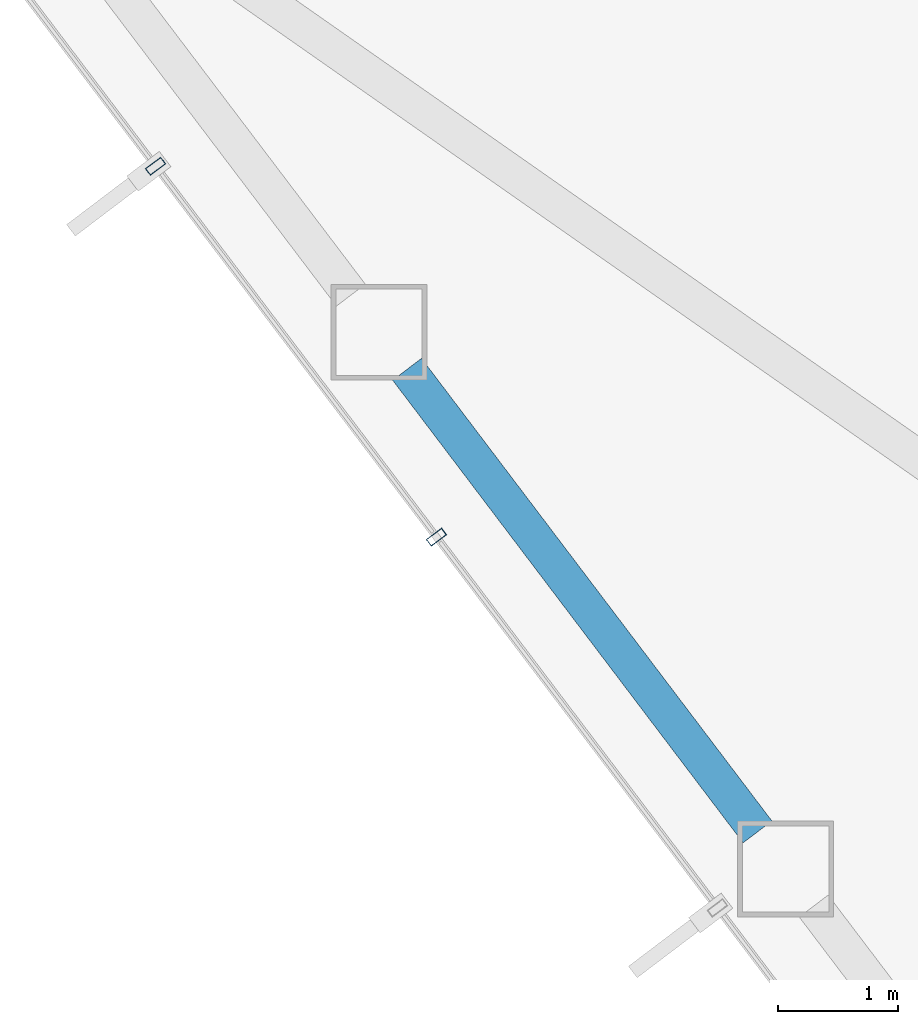
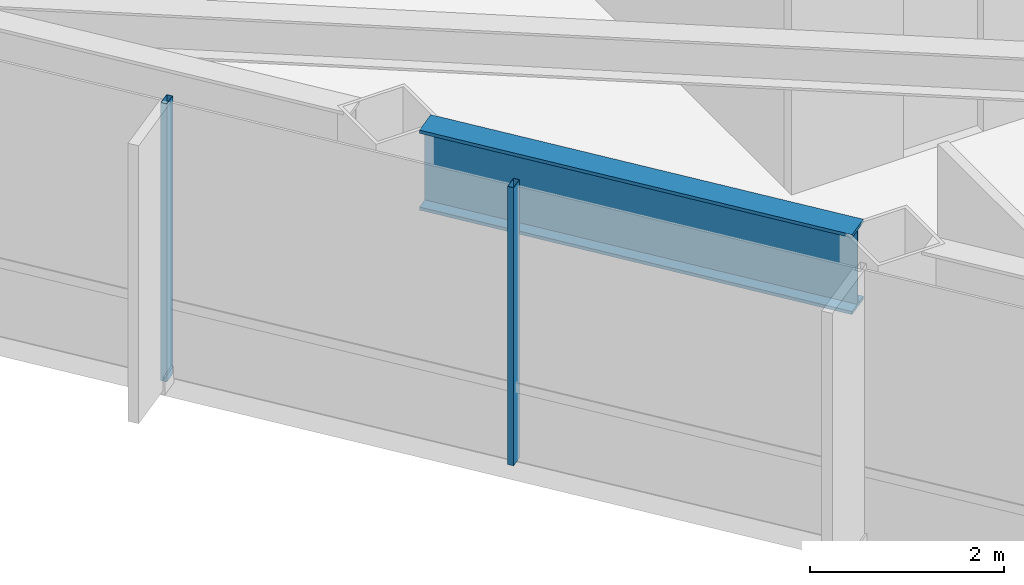
# One storey, part 4 of 28: 2 members, 1 beam, 1 element without a shape of its own.
"""IFC4 building model written with IfcOpenShell, lengths in metres."""

from ifc_helpers import new_model, si_unit, direction, frame, origin, origin_2d, place, context, subcontext, project, spatial, hollow_rectangle, i_section, extrude, material, layer, layer_set, material_profile, profile_set, type_object, element, aggregate, save


model = new_model("IFC4")

# Units and contexts
model_context = context("Model", 3, precision=1e-05, world=origin(), true_north=direction((0.0, 1.0)))
body_context = subcontext(model_context, "Body", "Model", "MODEL_VIEW")
ifc_project = project(units=[si_unit("LENGTHUNIT", "METRE"), si_unit("AREAUNIT", "SQUARE_METRE"), si_unit("VOLUMEUNIT", "CUBIC_METRE"), si_unit("PLANEANGLEUNIT", "RADIAN"), si_unit("MASSUNIT", "GRAM", prefix="KILO")], contexts=[model_context])

# Site, building, storey
site_placement = place(None, origin())
site = spatial("IfcSite", under=ifc_project, at=site_placement, CompositionType="ELEMENT")
building_placement = place(site_placement, origin())
building = spatial("IfcBuilding", under=site, at=building_placement, Name="Zarrinselat Tower", CompositionType="ELEMENT")
storey_placement = place(building_placement, frame((0.0, 0.0, 127.159912109375)))
storey = spatial("IfcBuildingStorey", under=building, at=storey_placement, Name="L30", CompositionType="ELEMENT", Elevation=127.159912109375)

# Beam
ifc_material_1 = material(Name="Steel S460M", Category="steel")
ifc_material_profile_1 = material_profile(ifc_material_1, i_section(OverallWidth=0.302001953125, OverallDepth=1.008056640625, WebThickness=0.02099609375, FlangeThickness=0.0400390625, at=origin_2d()), Name="HEM 1000")
ifc_profile_set_1 = profile_set([ifc_material_profile_1], Name="Steel S460M")
beam_type = type_object("IfcBeamType", Name="BM-HEM1000", PredefinedType="BEAM", material=ifc_profile_set_1)
beam_placement = place(storey_placement, frame((19.9619140625, 31.841552734375, 2.99609375), z_axis=(0.603841184863, -0.797104650258, 0.0), x_axis=(0.797104650258, 0.603841184863, 0.0)))
element("IfcBeam", 1, at=beam_placement, inside=storey, type_object=beam_type, Name="L30 Perimeter Spandrel Girder SP07", PredefinedType="BEAM", context=body_context, shape_type="SweptSolid", body=[
    extrude(i_section(OverallWidth=0.302001953125, OverallDepth=1.008056640625, WebThickness=0.02099609375, FlangeThickness=0.0400390625, at=origin_2d()), origin(), (0.0, 0.0, 1.0), 4.842041015625),
])

# Curtain wall, members
ifc_material_2 = material(Name="Extruded Aluminium Alloy EN AW-6063 T6", Category="aluminium")
ifc_layer = layer(ifc_material_2, 0.175048828125)
ifc_layer_set = layer_set([ifc_layer], Name="Extruded Aluminium Alloy EN AW-6063 T6")
curtain_wall_type = type_object("IfcCurtainWallType", Name="CWS-HTL", PredefinedType="NOTDEFINED", material=ifc_layer_set)
curtain_wall_placement = place(storey_placement, origin())
curtain_wall = element("IfcCurtainWall", 2, at=curtain_wall_placement, inside=storey, type_object=curtain_wall_type, Name="L30 Unitised Curtain Wall CW-L30-E03", PredefinedType="NOTDEFINED")
ifc_material_3 = material(Name="Extruded Aluminium Alloy EN AW-6063 T6", Category="aluminium")
ifc_material_profile_2 = material_profile(ifc_material_3, hollow_rectangle(XDim=0.070068359375, YDim=0.159912109375, WallThickness=0.00390625, at=origin_2d()), Name="RHS 160x70x4")
ifc_profile_set_2 = profile_set([ifc_material_profile_2], Name="Extruded Aluminium Alloy EN AW-6063 T6")
member_type = type_object("IfcMemberType", Name="MEM-CW-MUL2", PredefinedType="MULLION", material=ifc_profile_set_2)
member_1_placement = place(storey_placement, frame((17.86328125, 33.53515625, 0.0), z_axis=(0.0, 0.0, 1.0), x_axis=(0.603858349394, -0.797091647094, 0.0)))
member_1 = element("IfcMember", 3, at=member_1_placement, type_object=member_type, Name="CW-L30-E03 Mullion 1", PredefinedType="MULLION", context=body_context, shape_type="SweptSolid", body=[
    extrude(hollow_rectangle(XDim=0.070068359375, YDim=0.159912109375, WallThickness=0.00390625, at=origin_2d()), origin(), (0.0, 0.0, 1.0), 3.5),
])
member_2_placement = place(storey_placement, frame((20.20703125, 30.44140625, 0.0), z_axis=(0.0, 0.0, 1.0), x_axis=(0.603858349394, -0.797091647094, 0.0)))
member_2 = element("IfcMember", 4, at=member_2_placement, type_object=member_type, Name="CW-L30-E03 Mullion 2", PredefinedType="MULLION", context=body_context, shape_type="SweptSolid", body=[
    extrude(hollow_rectangle(XDim=0.070068359375, YDim=0.159912109375, WallThickness=0.00390625, at=origin_2d()), origin(), (0.0, 0.0, 1.0), 3.5),
])
aggregate(curtain_wall, [member_1, member_2])

save(model, "model.ifc")
